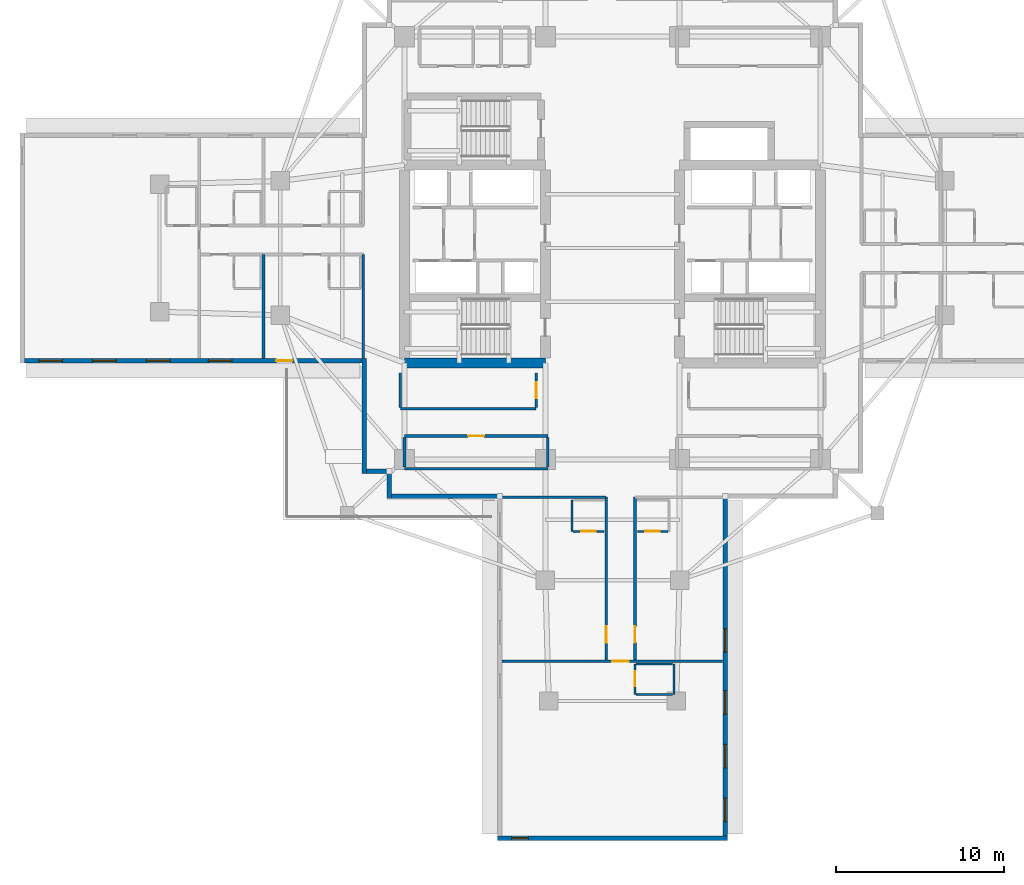
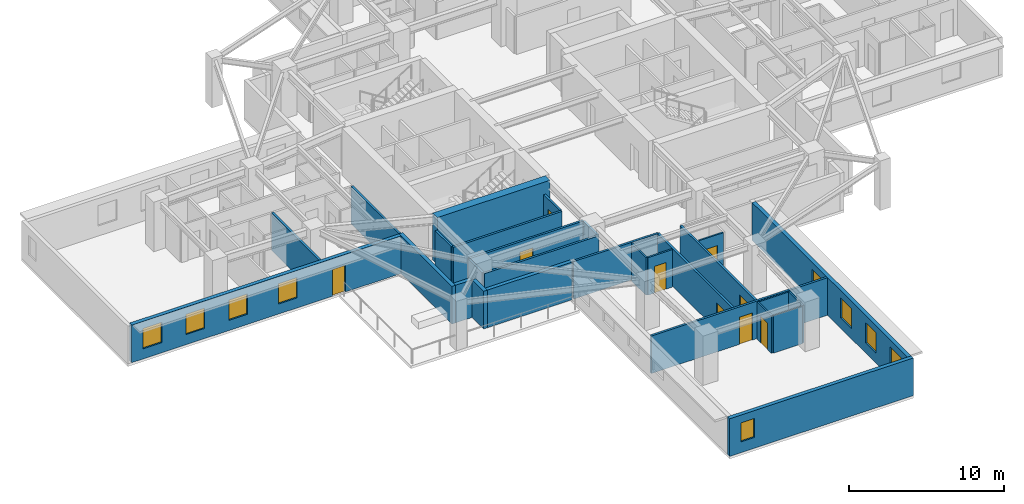
# One storey, part 3 of 13: 28 walls, 9 doors, 9 windows, 18 openings.
"""IFC4 building model written with IfcOpenShell, lengths in metres."""

from ifc_helpers import new_model, si_unit, direction, frame, frame_2d, origin, place, context, subcontext, project, spatial, rectangle, extrude, material, layer, layer_set, type_object, element, fill, save


model = new_model("IFC4")

# Units and contexts
model_context = context("Model", 3, precision=1e-05, world=origin(), true_north=direction((0.0, 1.0)))
body_context = subcontext(model_context, "Body", "Model", "MODEL_VIEW")
ifc_project = project(units=[si_unit("LENGTHUNIT", "METRE"), si_unit("AREAUNIT", "SQUARE_METRE"), si_unit("VOLUMEUNIT", "CUBIC_METRE"), si_unit("PLANEANGLEUNIT", "RADIAN"), si_unit("MASSUNIT", "GRAM", prefix="KILO")], contexts=[model_context])

# Site, building, storey
site_placement = place(None, origin())
site = spatial("IfcSite", under=ifc_project, at=site_placement, CompositionType="ELEMENT")
building_placement = place(site_placement, origin())
building = spatial("IfcBuilding", under=site, at=building_placement, Name="Qingluan Cross Belvedere", CompositionType="ELEMENT")
storey_placement = place(building_placement, frame((0.0, 0.0, 104.699951171875)))
storey = spatial("IfcBuildingStorey", under=building, at=storey_placement, Name="L26", CompositionType="ELEMENT", Elevation=104.699951171875)

# Walls
ifc_material_1 = material(Name="Concrete C60", Category="concrete")
ifc_layer_1 = layer(ifc_material_1, 0.60009765625, Name="CoreShearWall_600")
ifc_layer_set_1 = layer_set([ifc_layer_1], Name="Concrete C60")
wall_type_1 = type_object("IfcWallType", Name="CoreShearWall_600", PredefinedType="SHEAR", material=ifc_layer_set_1)
wall_1_placement = place(storey_placement, frame((-12.39990234375, -6.85009765625, 0.0), z_axis=(0.0, 0.0, 1.0), x_axis=(1.0, 0.0, 0.0)))
element("IfcWall", 1, at=wall_1_placement, inside=storey, type_object=wall_type_1, Name="Split core W shear wall L26-S", PredefinedType="SHEAR", context=body_context, shape_type="SweptSolid", body=[
    extrude(rectangle(XDim=8.39990234375, YDim=0.60009765625, at=frame_2d((4.199951171875, 0.0))), origin(), (0.0, 0.0, 1.0), 3.699951171875),
])
ifc_material_2 = material(Name="Gypsum plasterboard on steel stud acoustic partition", Category="steel")
ifc_layer_2 = layer(ifc_material_2, 0.159912109375, Name="CorridorPartition_160")
ifc_layer_set_2 = layer_set([ifc_layer_2], Name="Gypsum plasterboard on steel stud acoustic partition")
wall_type_2 = type_object("IfcWallType", Name="CorridorPartition_160", PredefinedType="PARTITIONING", material=ifc_layer_set_2)
wall_2_placement = place(storey_placement, frame((-12.39990234375, -13.14990234375, 0.0), z_axis=(0.0, 0.0, 1.0), x_axis=(1.0, 0.0, 0.0)))
element("IfcWall", 2, at=wall_2_placement, inside=storey, type_object=wall_type_2, Name="Partition L26:q_sw:S", PredefinedType="PARTITIONING", context=body_context, shape_type="SweptSolid", body=[
    extrude(rectangle(XDim=8.5498046875, YDim=0.159912109375, at=frame_2d((4.27490234375, 0.0))), origin(), (0.0, 0.0, 1.0), 2.9599609375),
])

# Wall, opening, door
wall_3_placement = place(storey_placement, frame((-12.39990234375, -11.199951171875, 0.0), z_axis=(0.0, 0.0, 1.0), x_axis=(1.0, 0.0, 0.0)))
wall_3 = element("IfcWall", 3, at=wall_3_placement, inside=storey, type_object=wall_type_2, Name="Partition L26:q_sw:N", PredefinedType="PARTITIONING", context=body_context, shape_type="SweptSolid", body=[
    extrude(rectangle(XDim=8.5498046875, YDim=0.159912109375, at=frame_2d((4.27490234375, 0.0))), origin(), (0.0, 0.0, 1.0), 2.9599609375),
])
opening_1_placement = place(wall_3_placement, frame((3.794921875, 0.0, 0.0)))
opening_1 = element("IfcOpeningElement", 4, at=opening_1_placement, cuts=wall_3, Name="Opening GD-10", PredefinedType="OPENING", context=body_context, shape_type="SweptSolid", body=[
    extrude(rectangle(XDim=0.9599609375, YDim=2.14990234375, at=frame_2d((0.47998046875, 1.074951171875))), frame((0.0, 0.08984375, 0.0), z_axis=(0.0, -1.0, 0.0), x_axis=(1.0, 0.0, 0.0)), (0.0, 0.0, 1.0), 0.179931640625),
])
ifc_material_3 = material(Name="Timber oak fire-rated acoustic guestroom door", Category="wood")
door_type_1 = type_object("IfcDoorType", Name="GuestEntryDoor_FD60", OperationType="NOTDEFINED", PredefinedType="DOOR", material=ifc_material_3)
door_1_placement = place(opening_1_placement, origin())
door_1 = element("IfcDoor", 5, at=door_1_placement, inside=storey, type_object=door_type_1, Name="Strategy meeting room L26 door", OperationType="SINGLE_SWING_RIGHT", OverallHeight=2.14990234375, OverallWidth=0.9599609375, PredefinedType="DOOR", context=body_context, shape_type="SweptSolid", body=[
    extrude(rectangle(XDim=0.9599609375, YDim=2.14990234375, at=frame_2d((0.47998046875, 1.074951171875))), frame((0.0, 0.02490234375, 0.0), z_axis=(0.0, -1.0, 0.0), x_axis=(1.0, 0.0, 0.0)), (0.0, 0.0, 1.0), 0.050048828125),
])
fill(opening_1, door_1)

# Walls
for number, where, z_axis, x_axis, name in (
    (6, (-12.39990234375, -13.06494140625, 0.0), (0.0, 0.0, 1.0), (0.0, 1.0, 0.0), "Partition L26:q_sw:W"),
    (7, (-3.85009765625, -13.06494140625, 0.0), (0.0, 0.0, 1.0), (0.0, 1.0, 0.0), "Partition L26:q_sw:E"),
):
    element("IfcWall", number, at=place(storey_placement, frame(where, z_axis=z_axis, x_axis=x_axis)), inside=storey, type_object=wall_type_2, Name=name, PredefinedType="PARTITIONING", context=body_context, shape_type="SweptSolid", body=[
        extrude(rectangle(XDim=1.780029296875, YDim=0.159912109375, at=frame_2d((0.89013671875, 0.0))), origin(), (0.0, 0.0, 1.0), 2.9599609375),
    ])
wall_4_placement = place(storey_placement, frame((-12.64990234375, -9.580078125, 0.0), z_axis=(0.0, 0.0, 1.0), x_axis=(1.0, 0.0, 0.0)))
element("IfcWall", 8, at=wall_4_placement, inside=storey, type_object=wall_type_2, Name="Partition L26:rec_st4_w:S", PredefinedType="PARTITIONING", context=body_context, shape_type="SweptSolid", body=[
    extrude(rectangle(XDim=8.099853515625, YDim=0.159912109375, at=frame_2d((4.0498046875, 0.0))), origin(), (0.0, 0.0, 1.0), 2.9599609375),
])
wall_5_placement = place(storey_placement, frame((-12.64990234375, -9.4951171875, 0.0), z_axis=(0.0, 0.0, 1.0), x_axis=(0.0, 1.0, 0.0)))
element("IfcWall", 9, at=wall_5_placement, inside=storey, type_object=wall_type_2, Name="Partition L26:rec_st4_w:W", PredefinedType="PARTITIONING", context=body_context, shape_type="SweptSolid", body=[
    extrude(rectangle(XDim=2.06005859375, YDim=0.159912109375, at=frame_2d((1.030029296875, 0.0))), origin(), (0.0, 0.0, 1.0), 2.9599609375),
])

# Wall, opening, door
wall_6_placement = place(storey_placement, frame((-4.550048828125, -9.4951171875, 0.0), z_axis=(0.0, 0.0, 1.0), x_axis=(0.0, 1.0, 0.0)))
wall_6 = element("IfcWall", 10, at=wall_6_placement, inside=storey, type_object=wall_type_2, Name="Partition L26:rec_st4_w:E", PredefinedType="PARTITIONING", context=body_context, shape_type="SweptSolid", body=[
    extrude(rectangle(XDim=2.06005859375, YDim=0.159912109375, at=frame_2d((1.030029296875, 0.0))), origin(), (0.0, 0.0, 1.0), 2.9599609375),
])
opening_2_placement = place(wall_6_placement, frame((0.550048828125, 0.0, 0.0)))
opening_2 = element("IfcOpeningElement", 11, at=opening_2_placement, cuts=wall_6, Name="Opening GD-10", PredefinedType="OPENING", context=body_context, shape_type="SweptSolid", body=[
    extrude(rectangle(XDim=0.9599609375, YDim=2.14990234375, at=frame_2d((0.47998046875, 1.074951171875))), frame((0.0, 0.08984375, 0.0), z_axis=(0.0, -1.0, 0.0), x_axis=(1.0, 0.0, 0.0)), (0.0, 0.0, 1.0), 0.179931640625),
])
door_2_placement = place(opening_2_placement, origin())
door_2 = element("IfcDoor", 12, at=door_2_placement, inside=storey, type_object=door_type_1, Name="Southwest club reading room L26 door", OperationType="SINGLE_SWING_LEFT", OverallHeight=2.14990234375, OverallWidth=0.9599609375, PredefinedType="DOOR", context=body_context, shape_type="SweptSolid", body=[
    extrude(rectangle(XDim=0.9599609375, YDim=2.14990234375, at=frame_2d((0.47998046875, 1.074951171875))), frame((0.0, 0.02490234375, 0.0), z_axis=(0.0, -1.0, 0.0), x_axis=(1.0, 0.0, 0.0)), (0.0, 0.0, 1.0), 0.050048828125),
])
fill(opening_2, door_2)

# Walls
for number, where, z_axis, x_axis, name in (
    (13, (-14.85009765625, -0.3798828125, 0.0), (0.0, 0.0, 1.0), (0.0, -1.0, 0.0), "Partition L26:W:s1"),
    (14, (-20.800048828125, -0.3798828125, 0.0), (0.0, 0.0, 1.0), (0.0, -1.0, 0.0), "Partition L26:W:d1_0"),
):
    element("IfcWall", number, at=place(storey_placement, frame(where, z_axis=z_axis, x_axis=x_axis)), inside=storey, type_object=wall_type_2, Name=name, PredefinedType="PARTITIONING", context=body_context, shape_type="SweptSolid", body=[
        extrude(rectangle(XDim=6.192138671875, YDim=0.159912109375, at=frame_2d((3.09619140625, 0.0))), origin(), (0.0, 0.0, 1.0), 2.9599609375),
    ])

# Wall, opening, door
wall_7_placement = place(storey_placement, frame((1.340087890625, -14.85009765625, 0.0), z_axis=(0.0, 0.0, 1.0), x_axis=(0.0, -1.0, 0.0)))
wall_7 = element("IfcWall", 15, at=wall_7_placement, inside=storey, type_object=wall_type_2, Name="Partition L26:S:c0", PredefinedType="PARTITIONING", context=body_context, shape_type="SweptSolid", body=[
    extrude(rectangle(XDim=9.699951171875, YDim=0.159912109375, at=frame_2d((4.85009765625, 0.0))), origin(), (0.0, 0.0, 1.0), 2.9599609375),
])
opening_3_placement = place(wall_7_placement, frame((7.7041015625, 0.0, 0.0)))
opening_3 = element("IfcOpeningElement", 16, at=opening_3_placement, cuts=wall_7, Name="Opening GD-10", PredefinedType="OPENING", context=body_context, shape_type="SweptSolid", body=[
    extrude(rectangle(XDim=0.9599609375, YDim=2.14990234375, at=frame_2d((0.47998046875, 1.074951171875))), frame((0.0, 0.08984375, 0.0), z_axis=(0.0, -1.0, 0.0), x_axis=(1.0, 0.0, 0.0)), (0.0, 0.0, 1.0), 0.179931640625),
])
door_3_placement = place(opening_3_placement, origin())
door_3 = element("IfcDoor", 17, at=door_3_placement, inside=storey, type_object=door_type_1, Name="Guest entry fire door 2615", OperationType="SINGLE_SWING_RIGHT", OverallHeight=2.14990234375, OverallWidth=0.9599609375, PredefinedType="DOOR", context=body_context, shape_type="SweptSolid", body=[
    extrude(rectangle(XDim=0.9599609375, YDim=2.14990234375, at=frame_2d((0.47998046875, 1.074951171875))), frame((0.0, 0.02490234375, 0.0), z_axis=(0.0, -1.0, 0.0), x_axis=(1.0, 0.0, 0.0)), (0.0, 0.0, 1.0), 0.050048828125),
])
fill(opening_3, door_3)

wall_8_placement = place(storey_placement, frame((-0.3798828125, -14.85009765625, 0.0), z_axis=(0.0, 0.0, 1.0), x_axis=(0.0, -1.0, 0.0)))
wall_8 = element("IfcWall", 18, at=wall_8_placement, inside=storey, type_object=wall_type_2, Name="Partition L26:S:c1", PredefinedType="PARTITIONING", context=body_context, shape_type="SweptSolid", body=[
    extrude(rectangle(XDim=9.699951171875, YDim=0.159912109375, at=frame_2d((4.85009765625, 0.0))), origin(), (0.0, 0.0, 1.0), 2.9599609375),
])
opening_4_placement = place(wall_8_placement, frame((7.7041015625, 0.0, 0.0)))
opening_4 = element("IfcOpeningElement", 19, at=opening_4_placement, cuts=wall_8, Name="Opening GD-10", PredefinedType="OPENING", context=body_context, shape_type="SweptSolid", body=[
    extrude(rectangle(XDim=0.9599609375, YDim=2.14990234375, at=frame_2d((0.47998046875, 1.074951171875))), frame((0.0, 0.08984375, 0.0), z_axis=(0.0, -1.0, 0.0), x_axis=(1.0, 0.0, 0.0)), (0.0, 0.0, 1.0), 0.179931640625),
])
door_4_placement = place(opening_4_placement, origin())
door_4 = element("IfcDoor", 20, at=door_4_placement, inside=storey, type_object=door_type_1, Name="Guest entry fire door 2616", OperationType="SINGLE_SWING_RIGHT", OverallHeight=2.14990234375, OverallWidth=0.9599609375, PredefinedType="DOOR", context=body_context, shape_type="SweptSolid", body=[
    extrude(rectangle(XDim=0.9599609375, YDim=2.14990234375, at=frame_2d((0.47998046875, 1.074951171875))), frame((0.0, 0.02490234375, 0.0), z_axis=(0.0, -1.0, 0.0), x_axis=(1.0, 0.0, 0.0)), (0.0, 0.0, 1.0), 0.050048828125),
])
fill(opening_4, door_4)

# Wall
wall_9_placement = place(storey_placement, frame((-0.3798828125, -14.85009765625, 0.0), z_axis=(0.0, 0.0, 1.0), x_axis=(-1.0, 0.0, 0.0)))
element("IfcWall", 21, at=wall_9_placement, inside=storey, type_object=wall_type_2, Name="Partition L26:S:s1", PredefinedType="PARTITIONING", context=body_context, shape_type="SweptSolid", body=[
    extrude(rectangle(XDim=6.340087890625, YDim=0.159912109375, at=frame_2d((3.169921875, 0.0))), origin(), (0.0, 0.0, 1.0), 2.9599609375),
])

# Wall, opening, door
wall_10_placement = place(storey_placement, frame((-6.572021484375, -24.6298828125, 0.0), z_axis=(0.0, 0.0, 1.0), x_axis=(1.0, 0.0, 0.0)))
wall_10 = element("IfcWall", 22, at=wall_10_placement, inside=storey, type_object=wall_type_2, Name="Partition L26:Scap:in", PredefinedType="PARTITIONING", context=body_context, shape_type="SweptSolid", body=[
    extrude(rectangle(XDim=13.14404296875, YDim=0.159912109375, at=frame_2d((6.572021484375, 0.0))), origin(), (0.0, 0.0, 1.0), 2.9599609375),
])
opening_5_placement = place(wall_10_placement, frame((6.572021484375, 0.0, 0.0)))
opening_5 = element("IfcOpeningElement", 23, at=opening_5_placement, cuts=wall_10, Name="Opening GD-10", PredefinedType="OPENING", context=body_context, shape_type="SweptSolid", body=[
    extrude(rectangle(XDim=0.9599609375, YDim=2.14990234375, at=frame_2d((0.47998046875, 1.074951171875))), frame((0.0, 0.08984375, 0.0), z_axis=(0.0, -1.0, 0.0), x_axis=(1.0, 0.0, 0.0)), (0.0, 0.0, 1.0), 0.179931640625),
])
door_5_placement = place(opening_5_placement, origin())
door_5 = element("IfcDoor", 24, at=door_5_placement, inside=storey, type_object=door_type_1, Name="Presidential suite entrance door L26S", OperationType="SINGLE_SWING_LEFT", OverallHeight=2.14990234375, OverallWidth=0.9599609375, PredefinedType="DOOR", context=body_context, shape_type="SweptSolid", body=[
    extrude(rectangle(XDim=0.9599609375, YDim=2.14990234375, at=frame_2d((0.47998046875, 1.074951171875))), frame((0.0, 0.02490234375, 0.0), z_axis=(0.0, -1.0, 0.0), x_axis=(1.0, 0.0, 0.0)), (0.0, 0.0, 1.0), 0.050048828125),
])
fill(opening_5, door_5)

ifc_material_4 = material(Name="Moisture-resistant gypsum board lining")
ifc_layer_3 = layer(ifc_material_4, 0.1201171875, Name="EnsuiteWetPartition_120")
ifc_layer_set_3 = layer_set([ifc_layer_3], Name="Moisture-resistant gypsum board lining")
wall_type_3 = type_object("IfcWallType", Name="EnsuiteWetPartition_120", PredefinedType="PARTITIONING", material=ifc_layer_set_3)
wall_11_placement = place(storey_placement, frame((1.47998046875, -16.889892578125, 0.0), z_axis=(0.0, 0.0, 1.0), x_axis=(1.0, 0.0, 0.0)))
wall_11 = element("IfcWall", 25, at=wall_11_placement, inside=storey, type_object=wall_type_3, Name="Partition L26:S:bs0_0", PredefinedType="PARTITIONING", context=body_context, shape_type="SweptSolid", body=[
    extrude(rectangle(XDim=1.820068359375, YDim=0.1201171875, at=frame_2d((0.91015625, 0.0))), origin(), (0.0, 0.0, 1.0), 2.9599609375),
])
opening_6_placement = place(wall_11_placement, frame((0.469970703125, 0.0, 0.0)))
opening_6 = element("IfcOpeningElement", 26, at=opening_6_placement, cuts=wall_11, Name="Opening BD-09", PredefinedType="OPENING", context=body_context, shape_type="SweptSolid", body=[
    extrude(rectangle(XDim=0.8798828125, YDim=2.10009765625, at=frame_2d((0.43994140625, 1.050048828125))), frame((0.0, 0.070068359375, 0.0), z_axis=(0.0, -1.0, 0.0), x_axis=(1.0, 0.0, 0.0)), (0.0, 0.0, 1.0), 0.14013671875),
])
ifc_material_5 = material(Name="Moisture-sealed timber en-suite door", Category="wood")
door_type_2 = type_object("IfcDoorType", Name="BathroomDoor_880", OperationType="NOTDEFINED", PredefinedType="DOOR", material=ifc_material_5)
door_6_placement = place(opening_6_placement, origin())
door_6 = element("IfcDoor", 27, at=door_6_placement, inside=storey, type_object=door_type_2, Name="Bathroom door 2615", OperationType="SINGLE_SWING_LEFT", OverallHeight=2.10009765625, OverallWidth=0.8798828125, PredefinedType="DOOR", context=body_context, shape_type="SweptSolid", body=[
    extrude(rectangle(XDim=0.8798828125, YDim=2.10009765625, at=frame_2d((0.43994140625, 1.050048828125))), frame((0.0, 0.02490234375, 0.0), z_axis=(0.0, -1.0, 0.0), x_axis=(1.0, 0.0, 0.0)), (0.0, 0.0, 1.0), 0.050048828125),
])
fill(opening_6, door_6)

wall_12_placement = place(storey_placement, frame((-2.340087890625, -16.889892578125, 0.0), z_axis=(0.0, 0.0, 1.0), x_axis=(1.0, 0.0, 0.0)))
wall_12 = element("IfcWall", 28, at=wall_12_placement, inside=storey, type_object=wall_type_3, Name="Partition L26:S:bs1_0", PredefinedType="PARTITIONING", context=body_context, shape_type="SweptSolid", body=[
    extrude(rectangle(XDim=1.820068359375, YDim=0.1201171875, at=frame_2d((0.91015625, 0.0))), origin(), (0.0, 0.0, 1.0), 2.9599609375),
])
opening_7_placement = place(wall_12_placement, frame((0.469970703125, 0.0, 0.0)))
opening_7 = element("IfcOpeningElement", 29, at=opening_7_placement, cuts=wall_12, Name="Opening BD-09", PredefinedType="OPENING", context=body_context, shape_type="SweptSolid", body=[
    extrude(rectangle(XDim=0.8798828125, YDim=2.10009765625, at=frame_2d((0.43994140625, 1.050048828125))), frame((0.0, 0.070068359375, 0.0), z_axis=(0.0, -1.0, 0.0), x_axis=(1.0, 0.0, 0.0)), (0.0, 0.0, 1.0), 0.14013671875),
])
door_7_placement = place(opening_7_placement, origin())
door_7 = element("IfcDoor", 30, at=door_7_placement, inside=storey, type_object=door_type_2, Name="Bathroom door 2616", OperationType="SINGLE_SWING_LEFT", OverallHeight=2.10009765625, OverallWidth=0.8798828125, PredefinedType="DOOR", context=body_context, shape_type="SweptSolid", body=[
    extrude(rectangle(XDim=0.8798828125, YDim=2.10009765625, at=frame_2d((0.43994140625, 1.050048828125))), frame((0.0, 0.02490234375, 0.0), z_axis=(0.0, -1.0, 0.0), x_axis=(1.0, 0.0, 0.0)), (0.0, 0.0, 1.0), 0.050048828125),
])
fill(opening_7, door_7)

# Wall
wall_13_placement = place(storey_placement, frame((-2.405029296875, -15.010009765625, 0.0), z_axis=(0.0, 0.0, 1.0), x_axis=(0.0, -1.0, 0.0)))
element("IfcWall", 31, at=wall_13_placement, inside=storey, type_object=wall_type_3, Name="Partition L26:S:bc1_0", PredefinedType="PARTITIONING", context=body_context, shape_type="SweptSolid", body=[
    extrude(rectangle(XDim=1.8798828125, YDim=0.1201171875, at=frame_2d((0.93994140625, 0.0))), origin(), (0.0, 0.0, 1.0), 2.9599609375),
])

# Wall, opening, door
wall_14_placement = place(storey_placement, frame((1.340087890625, -24.7900390625, 0.0), z_axis=(0.0, 0.0, 1.0), x_axis=(0.0, -1.0, 0.0)))
wall_14 = element("IfcWall", 32, at=wall_14_placement, inside=storey, type_object=wall_type_3, Name="Partition L26:Scap:bs", PredefinedType="PARTITIONING", context=body_context, shape_type="SweptSolid", body=[
    extrude(rectangle(XDim=1.820068359375, YDim=0.1201171875, at=frame_2d((0.91015625, 0.0))), origin(), (0.0, 0.0, 1.0), 2.9599609375),
])
opening_8_placement = place(wall_14_placement, frame((0.449951171875, 0.0, 0.0)))
opening_8 = element("IfcOpeningElement", 33, at=opening_8_placement, cuts=wall_14, Name="Opening BD-09", PredefinedType="OPENING", context=body_context, shape_type="SweptSolid", body=[
    extrude(rectangle(XDim=0.8798828125, YDim=2.10009765625, at=frame_2d((0.43994140625, 1.050048828125))), frame((0.0, 0.070068359375, 0.0), z_axis=(0.0, -1.0, 0.0), x_axis=(1.0, 0.0, 0.0)), (0.0, 0.0, 1.0), 0.14013671875),
])
door_8_placement = place(opening_8_placement, origin())
door_8 = element("IfcDoor", 34, at=door_8_placement, inside=storey, type_object=door_type_2, Name="En-suite bathroom door L26S", OperationType="SINGLE_SWING_RIGHT", OverallHeight=2.10009765625, OverallWidth=0.8798828125, PredefinedType="DOOR", context=body_context, shape_type="SweptSolid", body=[
    extrude(rectangle(XDim=0.8798828125, YDim=2.10009765625, at=frame_2d((0.43994140625, 1.050048828125))), frame((0.0, 0.02490234375, 0.0), z_axis=(0.0, -1.0, 0.0), x_axis=(1.0, 0.0, 0.0)), (0.0, 0.0, 1.0), 0.050048828125),
])
fill(opening_8, door_8)

# Walls
wall_15_placement = place(storey_placement, frame((3.659912109375, -24.7900390625, 0.0), z_axis=(0.0, 0.0, 1.0), x_axis=(0.0, -1.0, 0.0)))
element("IfcWall", 35, at=wall_15_placement, inside=storey, type_object=wall_type_3, Name="Partition L26:Scap:bb", PredefinedType="PARTITIONING", context=body_context, shape_type="SweptSolid", body=[
    extrude(rectangle(XDim=1.820068359375, YDim=0.1201171875, at=frame_2d((0.91015625, 0.0))), origin(), (0.0, 0.0, 1.0), 2.9599609375),
])
for number, where, z_axis, x_axis, name in (
    (36, (1.409912109375, -24.7900390625, 0.0), (0.0, 0.0, 1.0), (1.0, 0.0, 0.0), "Partition L26:Scap:ba"),
    (37, (1.409912109375, -26.610107421875, 0.0), (0.0, 0.0, 1.0), (1.0, 0.0, 0.0), "Partition L26:Scap:bn"),
):
    element("IfcWall", number, at=place(storey_placement, frame(where, z_axis=z_axis, x_axis=x_axis)), inside=storey, type_object=wall_type_3, Name=name, PredefinedType="PARTITIONING", context=body_context, shape_type="SweptSolid", body=[
        extrude(rectangle(XDim=2.18017578125, YDim=0.1201171875, at=frame_2d((1.090087890625, 0.0))), origin(), (0.0, 0.0, 1.0), 2.9599609375),
    ])

# Wall, openings, windows, door
ifc_material_6 = material(Name="Precast concrete C45", Category="concrete")
ifc_layer_4 = layer(ifc_material_6, 0.280029296875, Name="PrecastFacadeWall_280")
ifc_layer_set_4 = layer_set([ifc_layer_4], Name="Precast concrete C45")
wall_type_4 = type_object("IfcWallType", Name="PrecastFacadeWall_280", PredefinedType="STANDARD", material=ifc_layer_set_4)
wall_16_placement = place(storey_placement, frame((-35.0400390625, -6.719970703125, 0.0), z_axis=(0.0, 0.0, 1.0), x_axis=(1.0, 0.0, 0.0)))
wall_16 = element("IfcWall", 38, at=wall_16_placement, inside=storey, type_object=wall_type_4, Name="Facade wall L26-WB", PredefinedType="STANDARD", context=body_context, shape_type="SweptSolid", body=[
    extrude(rectangle(XDim=20.10009765625, YDim=0.280029296875, at=frame_2d((10.050048828125, 0.0))), origin(), (0.0, 0.0, 1.0), 2.969970703125),
])
opening_9_placement = place(wall_16_placement, frame((0.85009765625, 0.0, 0.800048828125)))
opening_9 = element("IfcOpeningElement", 39, at=opening_9_placement, cuts=wall_16, Name="Opening W-01", PredefinedType="OPENING", context=body_context, shape_type="SweptSolid", body=[
    extrude(rectangle(XDim=1.39990234375, YDim=1.60009765625, at=frame_2d((0.699951171875, 0.800048828125))), frame((0.0, 0.14990234375, 0.0), z_axis=(0.0, -1.0, 0.0), x_axis=(1.0, 0.0, 0.0)), (0.0, 0.0, 1.0), 0.300048828125),
])
opening_10_placement = place(wall_16_placement, frame((4.050048828125, 0.0, 0.800048828125)))
opening_10 = element("IfcOpeningElement", 40, at=opening_10_placement, cuts=wall_16, Name="Opening W-01", PredefinedType="OPENING", context=body_context, shape_type="SweptSolid", body=[
    extrude(rectangle(XDim=1.39990234375, YDim=1.60009765625, at=frame_2d((0.699951171875, 0.800048828125))), frame((0.0, 0.14990234375, 0.0), z_axis=(0.0, -1.0, 0.0), x_axis=(1.0, 0.0, 0.0)), (0.0, 0.0, 1.0), 0.300048828125),
])
opening_11_placement = place(wall_16_placement, frame((7.25, 0.0, 0.800048828125)))
opening_11 = element("IfcOpeningElement", 41, at=opening_11_placement, cuts=wall_16, Name="Opening W-01", PredefinedType="OPENING", context=body_context, shape_type="SweptSolid", body=[
    extrude(rectangle(XDim=1.39990234375, YDim=1.60009765625, at=frame_2d((0.699951171875, 0.800048828125))), frame((0.0, 0.14990234375, 0.0), z_axis=(0.0, -1.0, 0.0), x_axis=(1.0, 0.0, 0.0)), (0.0, 0.0, 1.0), 0.300048828125),
])
opening_12_placement = place(wall_16_placement, frame((10.949951171875, 0.0, 0.800048828125)))
opening_12 = element("IfcOpeningElement", 42, at=opening_12_placement, cuts=wall_16, Name="Opening W-01", PredefinedType="OPENING", context=body_context, shape_type="SweptSolid", body=[
    extrude(rectangle(XDim=1.39990234375, YDim=1.60009765625, at=frame_2d((0.699951171875, 0.800048828125))), frame((0.0, 0.14990234375, 0.0), z_axis=(0.0, -1.0, 0.0), x_axis=(1.0, 0.0, 0.0)), (0.0, 0.0, 1.0), 0.300048828125),
])
opening_13_placement = place(wall_16_placement, frame((15.0, 0.0, 0.0)))
opening_13 = element("IfcOpeningElement", 43, at=opening_13_placement, cuts=wall_16, Name="Opening WD-10", PredefinedType="OPENING", context=body_context, shape_type="SweptSolid", body=[
    extrude(rectangle(XDim=0.9599609375, YDim=2.10009765625, at=frame_2d((0.47998046875, 1.050048828125))), frame((0.0, 0.14990234375, 0.0), z_axis=(0.0, -1.0, 0.0), x_axis=(1.0, 0.0, 0.0)), (0.0, 0.0, 1.0), 0.300048828125),
])
ifc_material_7 = material(Name="Thermally broken triple Low-E glass in aluminium frame", Category="aluminium")
window_type_1 = type_object("IfcWindowType", Name="TriRibbonWin_1400x1600", PartitioningType="SINGLE_PANEL", PredefinedType="WINDOW", material=ifc_material_7)
window_1_placement = place(opening_9_placement, origin())
window_1 = element("IfcWindow", 44, at=window_1_placement, inside=storey, type_object=window_type_1, Name="Ribbon window L26-WB-1", OverallHeight=1.60009765625, OverallWidth=1.39990234375, PartitioningType="SINGLE_PANEL", PredefinedType="WINDOW", context=body_context, shape_type="SweptSolid", body=[
    extrude(rectangle(XDim=1.39990234375, YDim=1.60009765625, at=frame_2d((0.699951171875, 0.800048828125))), frame((0.0, 0.030029296875, 0.0), z_axis=(0.0, -1.0, 0.0), x_axis=(1.0, 0.0, 0.0)), (0.0, 0.0, 1.0), 0.06005859375),
])
fill(opening_9, window_1)
window_2_placement = place(opening_10_placement, origin())
window_2 = element("IfcWindow", 45, at=window_2_placement, inside=storey, type_object=window_type_1, Name="Ribbon window L26-WB-2", OverallHeight=1.60009765625, OverallWidth=1.39990234375, PartitioningType="SINGLE_PANEL", PredefinedType="WINDOW", context=body_context, shape_type="SweptSolid", body=[
    extrude(rectangle(XDim=1.39990234375, YDim=1.60009765625, at=frame_2d((0.699951171875, 0.800048828125))), frame((0.0, 0.030029296875, 0.0), z_axis=(0.0, -1.0, 0.0), x_axis=(1.0, 0.0, 0.0)), (0.0, 0.0, 1.0), 0.06005859375),
])
fill(opening_10, window_2)
window_3_placement = place(opening_11_placement, origin())
window_3 = element("IfcWindow", 46, at=window_3_placement, inside=storey, type_object=window_type_1, Name="Ribbon window L26-WB-3", OverallHeight=1.60009765625, OverallWidth=1.39990234375, PartitioningType="SINGLE_PANEL", PredefinedType="WINDOW", context=body_context, shape_type="SweptSolid", body=[
    extrude(rectangle(XDim=1.39990234375, YDim=1.60009765625, at=frame_2d((0.699951171875, 0.800048828125))), frame((0.0, 0.030029296875, 0.0), z_axis=(0.0, -1.0, 0.0), x_axis=(1.0, 0.0, 0.0)), (0.0, 0.0, 1.0), 0.06005859375),
])
fill(opening_11, window_3)
window_4_placement = place(opening_12_placement, origin())
window_4 = element("IfcWindow", 47, at=window_4_placement, inside=storey, type_object=window_type_1, Name="Ribbon window L26-WB-4", OverallHeight=1.60009765625, OverallWidth=1.39990234375, PartitioningType="SINGLE_PANEL", PredefinedType="WINDOW", context=body_context, shape_type="SweptSolid", body=[
    extrude(rectangle(XDim=1.39990234375, YDim=1.60009765625, at=frame_2d((0.699951171875, 0.800048828125))), frame((0.0, 0.030029296875, 0.0), z_axis=(0.0, -1.0, 0.0), x_axis=(1.0, 0.0, 0.0)), (0.0, 0.0, 1.0), 0.06005859375),
])
fill(opening_12, window_4)
ifc_material_8 = material(Name="Thermally broken aluminium and Low-E glass", Category="aluminium")
door_type_3 = type_object("IfcDoorType", Name="WinterGardenDoor_096", OperationType="NOTDEFINED", PredefinedType="DOOR", material=ifc_material_8)
door_9_placement = place(opening_13_placement, origin())
door_9 = element("IfcDoor", 48, at=door_9_placement, inside=storey, type_object=door_type_3, Name="Outdoor terrace access door L26-spi", OperationType="SINGLE_SWING_RIGHT", OverallHeight=2.10009765625, OverallWidth=0.9599609375, PredefinedType="DOOR", context=body_context, shape_type="SweptSolid", body=[
    extrude(rectangle(XDim=0.9599609375, YDim=2.10009765625, at=frame_2d((0.47998046875, 1.050048828125))), frame((0.0, 0.02490234375, 0.0), z_axis=(0.0, -1.0, 0.0), x_axis=(1.0, 0.0, 0.0)), (0.0, 0.0, 1.0), 0.050048828125),
])
fill(opening_13, door_9)

# Wall, openings, windows
wall_17_placement = place(storey_placement, frame((6.719970703125, -35.0400390625, 0.0), z_axis=(0.0, 0.0, 1.0), x_axis=(0.0, 1.0, 0.0)))
wall_17 = element("IfcWall", 49, at=wall_17_placement, inside=storey, type_object=wall_type_4, Name="Facade wall L26-SB", PredefinedType="STANDARD", context=body_context, shape_type="SweptSolid", body=[
    extrude(rectangle(XDim=20.10009765625, YDim=0.280029296875, at=frame_2d((10.050048828125, 0.0))), origin(), (0.0, 0.0, 1.0), 2.969970703125),
])
opening_14_placement = place(wall_17_placement, frame((0.85009765625, 0.0, 0.800048828125)))
opening_14 = element("IfcOpeningElement", 50, at=opening_14_placement, cuts=wall_17, Name="Opening W-01", PredefinedType="OPENING", context=body_context, shape_type="SweptSolid", body=[
    extrude(rectangle(XDim=1.39990234375, YDim=1.60009765625, at=frame_2d((0.699951171875, 0.800048828125))), frame((0.0, 0.14990234375, 0.0), z_axis=(0.0, -1.0, 0.0), x_axis=(1.0, 0.0, 0.0)), (0.0, 0.0, 1.0), 0.300048828125),
])
opening_15_placement = place(wall_17_placement, frame((4.050048828125, 0.0, 0.800048828125)))
opening_15 = element("IfcOpeningElement", 51, at=opening_15_placement, cuts=wall_17, Name="Opening W-01", PredefinedType="OPENING", context=body_context, shape_type="SweptSolid", body=[
    extrude(rectangle(XDim=1.39990234375, YDim=1.60009765625, at=frame_2d((0.699951171875, 0.800048828125))), frame((0.0, 0.14990234375, 0.0), z_axis=(0.0, -1.0, 0.0), x_axis=(1.0, 0.0, 0.0)), (0.0, 0.0, 1.0), 0.300048828125),
])
opening_16_placement = place(wall_17_placement, frame((7.25, 0.0, 0.800048828125)))
opening_16 = element("IfcOpeningElement", 52, at=opening_16_placement, cuts=wall_17, Name="Opening W-01", PredefinedType="OPENING", context=body_context, shape_type="SweptSolid", body=[
    extrude(rectangle(XDim=1.39990234375, YDim=1.60009765625, at=frame_2d((0.699951171875, 0.800048828125))), frame((0.0, 0.14990234375, 0.0), z_axis=(0.0, -1.0, 0.0), x_axis=(1.0, 0.0, 0.0)), (0.0, 0.0, 1.0), 0.300048828125),
])
opening_17_placement = place(wall_17_placement, frame((10.949951171875, 0.0, 0.800048828125)))
opening_17 = element("IfcOpeningElement", 53, at=opening_17_placement, cuts=wall_17, Name="Opening W-01", PredefinedType="OPENING", context=body_context, shape_type="SweptSolid", body=[
    extrude(rectangle(XDim=1.39990234375, YDim=1.60009765625, at=frame_2d((0.699951171875, 0.800048828125))), frame((0.0, 0.14990234375, 0.0), z_axis=(0.0, -1.0, 0.0), x_axis=(1.0, 0.0, 0.0)), (0.0, 0.0, 1.0), 0.300048828125),
])
window_5_placement = place(opening_14_placement, origin())
window_5 = element("IfcWindow", 54, at=window_5_placement, inside=storey, type_object=window_type_1, Name="Ribbon window L26-SB-1", OverallHeight=1.60009765625, OverallWidth=1.39990234375, PartitioningType="SINGLE_PANEL", PredefinedType="WINDOW", context=body_context, shape_type="SweptSolid", body=[
    extrude(rectangle(XDim=1.39990234375, YDim=1.60009765625, at=frame_2d((0.699951171875, 0.800048828125))), frame((0.0, 0.030029296875, 0.0), z_axis=(0.0, -1.0, 0.0), x_axis=(1.0, 0.0, 0.0)), (0.0, 0.0, 1.0), 0.06005859375),
])
fill(opening_14, window_5)
window_6_placement = place(opening_15_placement, origin())
window_6 = element("IfcWindow", 55, at=window_6_placement, inside=storey, type_object=window_type_1, Name="Ribbon window L26-SB-2", OverallHeight=1.60009765625, OverallWidth=1.39990234375, PartitioningType="SINGLE_PANEL", PredefinedType="WINDOW", context=body_context, shape_type="SweptSolid", body=[
    extrude(rectangle(XDim=1.39990234375, YDim=1.60009765625, at=frame_2d((0.699951171875, 0.800048828125))), frame((0.0, 0.030029296875, 0.0), z_axis=(0.0, -1.0, 0.0), x_axis=(1.0, 0.0, 0.0)), (0.0, 0.0, 1.0), 0.06005859375),
])
fill(opening_15, window_6)
window_7_placement = place(opening_16_placement, origin())
window_7 = element("IfcWindow", 56, at=window_7_placement, inside=storey, type_object=window_type_1, Name="Ribbon window L26-SB-3", OverallHeight=1.60009765625, OverallWidth=1.39990234375, PartitioningType="SINGLE_PANEL", PredefinedType="WINDOW", context=body_context, shape_type="SweptSolid", body=[
    extrude(rectangle(XDim=1.39990234375, YDim=1.60009765625, at=frame_2d((0.699951171875, 0.800048828125))), frame((0.0, 0.030029296875, 0.0), z_axis=(0.0, -1.0, 0.0), x_axis=(1.0, 0.0, 0.0)), (0.0, 0.0, 1.0), 0.06005859375),
])
fill(opening_16, window_7)
window_8_placement = place(opening_17_placement, origin())
window_8 = element("IfcWindow", 57, at=window_8_placement, inside=storey, type_object=window_type_1, Name="Ribbon window L26-SB-4", OverallHeight=1.60009765625, OverallWidth=1.39990234375, PartitioningType="SINGLE_PANEL", PredefinedType="WINDOW", context=body_context, shape_type="SweptSolid", body=[
    extrude(rectangle(XDim=1.39990234375, YDim=1.60009765625, at=frame_2d((0.699951171875, 0.800048828125))), frame((0.0, 0.030029296875, 0.0), z_axis=(0.0, -1.0, 0.0), x_axis=(1.0, 0.0, 0.0)), (0.0, 0.0, 1.0), 0.06005859375),
])
fill(opening_17, window_8)

# Wall, opening, window
wall_18_placement = place(storey_placement, frame((-6.860107421875, -35.179931640625, 0.0), z_axis=(0.0, 0.0, 1.0), x_axis=(1.0, 0.0, 0.0)))
wall_18 = element("IfcWall", 58, at=wall_18_placement, inside=storey, type_object=wall_type_4, Name="Arm tip precast facade wall L26-S", PredefinedType="STANDARD", context=body_context, shape_type="SweptSolid", body=[
    extrude(rectangle(XDim=13.72021484375, YDim=0.280029296875, at=frame_2d((6.860107421875, 0.0))), origin(), (0.0, 0.0, 1.0), 2.969970703125),
])
opening_18_placement = place(wall_18_placement, frame((0.85009765625, 0.0, 0.85009765625)))
opening_18 = element("IfcOpeningElement", 59, at=opening_18_placement, cuts=wall_18, Name="Opening W-03", PredefinedType="OPENING", context=body_context, shape_type="SweptSolid", body=[
    extrude(rectangle(XDim=1.0, YDim=1.5, at=frame_2d((0.5, 0.75))), frame((0.0, 0.14990234375, 0.0), z_axis=(0.0, -1.0, 0.0), x_axis=(1.0, 0.0, 0.0)), (0.0, 0.0, 1.0), 0.300048828125),
])
ifc_material_9 = material(Name="Thermally broken triple Low-E glass in aluminium frame", Category="aluminium")
window_type_2 = type_object("IfcWindowType", Name="TriApexWin_1000x1500", PartitioningType="SINGLE_PANEL", PredefinedType="WINDOW", material=ifc_material_9)
window_9_placement = place(opening_18_placement, origin())
window_9 = element("IfcWindow", 60, at=window_9_placement, inside=storey, type_object=window_type_2, Name="Arm tip triangular window L26-S", OverallHeight=1.5, OverallWidth=1.0, PartitioningType="SINGLE_PANEL", PredefinedType="WINDOW", context=body_context, shape_type="SweptSolid", body=[
    extrude(rectangle(XDim=1.0, YDim=1.5, at=frame_2d((0.5, 0.75))), frame((0.0, 0.030029296875, 0.0), z_axis=(0.0, -1.0, 0.0), x_axis=(1.0, 0.0, 0.0)), (0.0, 0.0, 1.0), 0.06005859375),
])
fill(opening_18, window_9)

# Walls
wall_19_placement = place(storey_placement, frame((-14.800048828125, -6.580078125, 0.0), z_axis=(0.0, 0.0, 1.0), x_axis=(0.0, -1.0, 0.0)))
element("IfcWall", 61, at=wall_19_placement, inside=storey, type_object=wall_type_4, Name="Corner wall L26-SW1", PredefinedType="STANDARD", context=body_context, shape_type="SweptSolid", body=[
    extrude(rectangle(XDim=6.85986328125, YDim=0.280029296875, at=frame_2d((3.429931640625, 0.0))), origin(), (0.0, 0.0, 1.0), 2.969970703125),
])
wall_20_placement = place(storey_placement, frame((-14.659912109375, -13.300048828125, 0.0), z_axis=(0.0, 0.0, 1.0), x_axis=(1.0, 0.0, 0.0)))
element("IfcWall", 62, at=wall_20_placement, inside=storey, type_object=wall_type_4, Name="Corner wall L26-SW2", PredefinedType="STANDARD", context=body_context, shape_type="SweptSolid", body=[
    extrude(rectangle(XDim=1.219970703125, YDim=0.280029296875, at=frame_2d((0.60986328125, 0.0))), origin(), (0.0, 0.0, 1.0), 2.969970703125),
])
wall_21_placement = place(storey_placement, frame((-13.300048828125, -13.43994140625, 0.0), z_axis=(0.0, 0.0, 1.0), x_axis=(0.0, -1.0, 0.0)))
element("IfcWall", 63, at=wall_21_placement, inside=storey, type_object=wall_type_4, Name="Corner wall L26-SW3", PredefinedType="STANDARD", context=body_context, shape_type="SweptSolid", body=[
    extrude(rectangle(XDim=1.5, YDim=0.280029296875, at=frame_2d((0.75, 0.0))), origin(), (0.0, 0.0, 1.0), 2.969970703125),
])
wall_22_placement = place(storey_placement, frame((-13.159912109375, -14.800048828125, 0.0), z_axis=(0.0, 0.0, 1.0), x_axis=(1.0, 0.0, 0.0)))
element("IfcWall", 64, at=wall_22_placement, inside=storey, type_object=wall_type_4, Name="Corner wall L26-SW4", PredefinedType="STANDARD", context=body_context, shape_type="SweptSolid", body=[
    extrude(rectangle(XDim=6.2998046875, YDim=0.280029296875, at=frame_2d((3.14990234375, 0.0))), origin(), (0.0, 0.0, 1.0), 2.969970703125),
])

save(model, "model.ifc")
